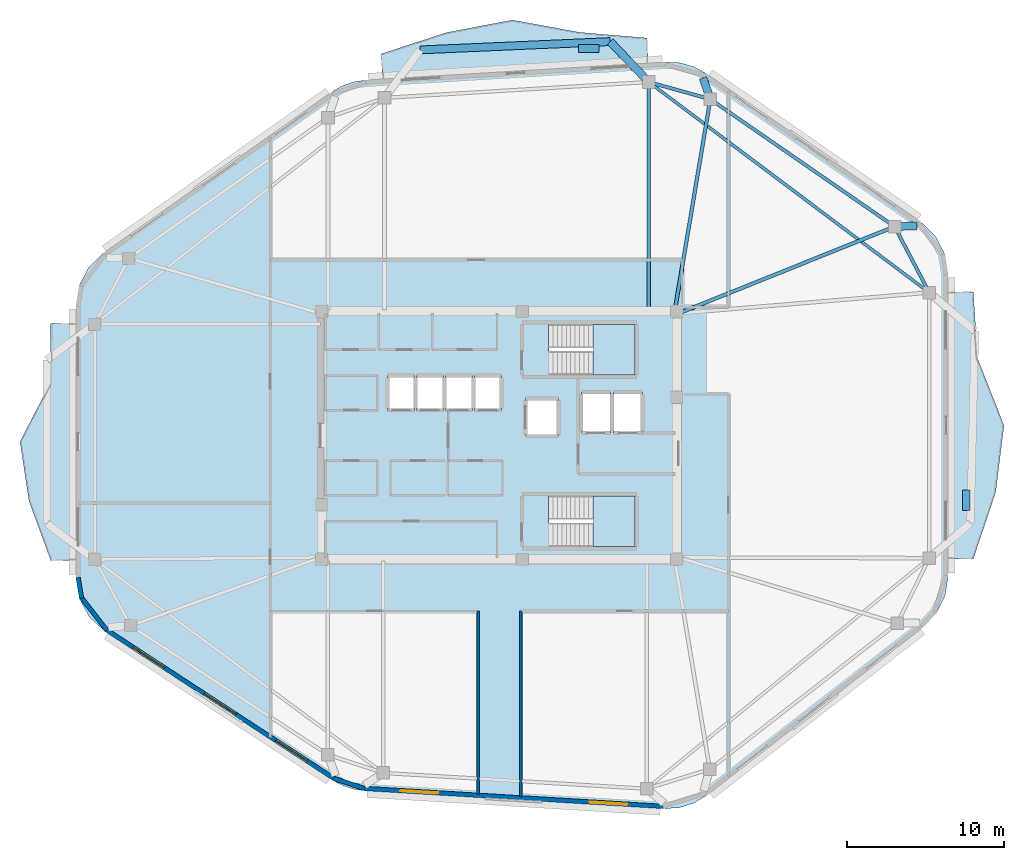
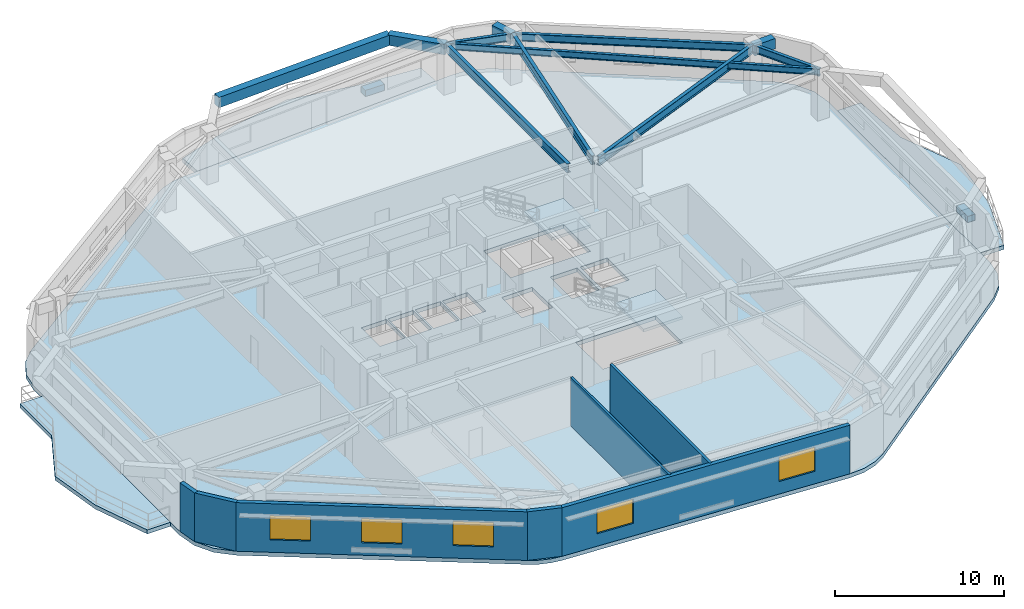
# One storey, part 2 of 9: 11 beams, 7 walls, 6 slabs, 5 windows, 2 plates, 5 openings, 2 elements without a shape of their own.
"""IFC4 building model written with IfcOpenShell, lengths in metres."""

import ifcopenshell
import ifcopenshell.guid

model = None  # the IFC model being written
_history = None  # IfcOwnerHistory: only IFC2X3 demands one
_inside = {}  # id of a spatial element -> (the spatial element, [elements in it])
_under = {}  # id of a project, library or spatial element -> (it, [spatial elements below it])
_declared = {}  # id of a project -> (the project, [libraries it declares])
_typed = {}  # id of a type object -> (the type object, [elements of that type])
_made_of = {}  # id of a material, layer set ... -> (it, [elements and type objects made of it])


def new_model(schema):
    """Start an empty IFC model of exactly this schema.

    Asked for "IFC4X3", IfcOpenShell would pick the latest addendum, in which some entities
    have other attributes; the version numbers below select the first issue.
    IFC2X3 requires an IfcOwnerHistory on every rooted entity: one is made here for all.
    """
    global model, _history
    if schema == "IFC4X3":
        model = ifcopenshell.file(schema_version=(4, 3, 0, 0))
    else:
        model = ifcopenshell.file(schema=schema)
    _inside.clear()
    _under.clear()
    _declared.clear()
    _typed.clear()
    _made_of.clear()
    _history = None
    if model.schema == "IFC2X3":
        org = make("IfcOrganization", Name="unknown")
        user = make(
            "IfcPersonAndOrganization",
            ThePerson=make("IfcPerson", FamilyName="unknown"),
            TheOrganization=org,
        )
        app = make(
            "IfcApplication",
            ApplicationDeveloper=org,
            Version="unknown",
            ApplicationFullName="unknown",
            ApplicationIdentifier="unknown",
        )
        _history = make(
            "IfcOwnerHistory",
            OwningUser=user,
            OwningApplication=app,
            ChangeAction="ADDED",
            CreationDate=0,
        )
    return model


def make(cls, **values):
    """One entity of the class cls with the attributes given. An attribute that is None is left unset."""
    return model.create_entity(
        cls, **{name: value for name, value in values.items() if value is not None}
    )


def rooted(cls, **values):
    """An entity with a GlobalId (a new one), such as an element, a storey or a relation."""
    return make(cls, GlobalId=ifcopenshell.guid.new(), OwnerHistory=_history, **values)


def si_unit(unit_type, name, prefix=None):
    """IfcSIUnit, for example si_unit("LENGTHUNIT", "METRE", prefix="MILLI")."""
    return make("IfcSIUnit", UnitType=unit_type, Prefix=prefix, Name=name)


def assignment(units):
    """IfcUnitAssignment: the units of a project."""
    return None if units is None else make("IfcUnitAssignment", Units=units)


def point(xyz):
    """IfcCartesianPoint."""
    return None if xyz is None else make("IfcCartesianPoint", Coordinates=xyz)


def direction(xyz):
    """IfcDirection."""
    return None if xyz is None else make("IfcDirection", DirectionRatios=xyz)


def frame(location, z_axis=None, x_axis=None):
    """IfcAxis2Placement3D, a coordinate frame: its origin and axes. An axis left out is left unset."""
    return make(
        "IfcAxis2Placement3D",
        Location=point(location),
        Axis=direction(z_axis),
        RefDirection=direction(x_axis),
    )


def frame_2d(location, x_axis=None):
    """IfcAxis2Placement2D, a coordinate frame in the plane: its origin and x axis."""
    return make(
        "IfcAxis2Placement2D", Location=point(location), RefDirection=direction(x_axis)
    )


def origin():
    """The frame at (0, 0, 0) with its axes left unset."""
    return frame((0.0, 0.0, 0.0))


def origin_2d():
    """The frame at (0, 0) in the plane with its x axis left unset."""
    return frame_2d((0.0, 0.0))


def place(relative_to, where):
    """IfcLocalPlacement: puts the frame where relative to a parent placement (None: the world)."""
    return make(
        "IfcLocalPlacement", PlacementRelTo=relative_to, RelativePlacement=where
    )


def context(
    kind, dimensions, precision=None, world=None, true_north=None, identifier=None
):
    """IfcGeometricRepresentationContext, for example the 3D "Model" context."""
    return make(
        "IfcGeometricRepresentationContext",
        ContextIdentifier=identifier,
        ContextType=kind,
        CoordinateSpaceDimension=dimensions,
        Precision=precision,
        WorldCoordinateSystem=world,
        TrueNorth=true_north,
    )


def subcontext(parent, identifier, kind, view, scale=None):
    """IfcGeometricRepresentationSubContext, for example "Body" below "Model"."""
    return make(
        "IfcGeometricRepresentationSubContext",
        ContextIdentifier=identifier,
        ContextType=kind,
        ParentContext=parent,
        TargetScale=scale,
        TargetView=view,
    )


def project(units=None, contexts=None):
    """IfcProject with its units and contexts."""
    return rooted(
        "IfcProject",
        Name="project",
        RepresentationContexts=contexts,
        UnitsInContext=assignment(units),
    )


def spatial(cls, under=None, at=None, **own):
    """A site, building, storey or space (cls), placed at a placement, below another one or the project."""
    s = rooted(cls, ObjectPlacement=at, **own)
    if under is not None:
        _under.setdefault(under.id(), (under, []))[1].append(s)
    return s


def polyline(points):
    """IfcPolyline through the points."""
    return make("IfcPolyline", Points=[point(p) for p in points])


def profile(cls, at=None, kind="AREA", **sizes):
    """A parametric profile (cls). Its sizes go by their IFC names, for example OverallWidth=200.0."""
    return make(cls, ProfileType=kind, Position=at, **sizes)


def rectangle(**sizes):
    """IfcRectangleProfileDef."""
    return profile("IfcRectangleProfileDef", **sizes)


def i_section(**sizes):
    """IfcIShapeProfileDef."""
    return profile("IfcIShapeProfileDef", **sizes)


def outline(outer, holes=None, kind="AREA"):
    """IfcArbitraryClosedProfileDef: a profile drawn as a closed curve; with holes, ...WithVoids."""
    if holes is None:
        return make("IfcArbitraryClosedProfileDef", ProfileType=kind, OuterCurve=outer)
    return make(
        "IfcArbitraryProfileDefWithVoids",
        ProfileType=kind,
        OuterCurve=outer,
        InnerCurves=holes,
    )


def extrude(swept, where, along, depth):
    """IfcExtrudedAreaSolid: the profile swept, set in the frame where, extruded along a direction by depth."""
    return make(
        "IfcExtrudedAreaSolid",
        SweptArea=swept,
        Position=where,
        ExtrudedDirection=direction(along),
        Depth=depth,
    )


def shape(context_of_items, identifier, shape_type, items):
    """IfcShapeRepresentation: the items that make up one representation, for example the "Body"."""
    return make(
        "IfcShapeRepresentation",
        ContextOfItems=context_of_items,
        RepresentationIdentifier=identifier,
        RepresentationType=shape_type,
        Items=items,
    )


def material(Name=None, Category=None):
    """IfcMaterial."""
    return make("IfcMaterial", Name=Name, Category=Category)


def layer(
    of_material, thickness, ventilated=None, Name=None, Category=None, Priority=None
):
    """IfcMaterialLayer: one layer of a wall or slab, of a material (None: an air gap)."""
    return make(
        "IfcMaterialLayer",
        Material=of_material,
        LayerThickness=thickness,
        IsVentilated=ventilated,
        Name=Name,
        Category=Category,
        Priority=Priority,
    )


def layer_set(layers, Name=None):
    """IfcMaterialLayerSet."""
    return make("IfcMaterialLayerSet", MaterialLayers=layers, LayerSetName=Name)


def material_profile(
    of_material, cross_section, Name=None, Category=None, Priority=None
):
    """IfcMaterialProfile: a cross section and its material."""
    return make(
        "IfcMaterialProfile",
        Name=Name,
        Material=of_material,
        Profile=cross_section,
        Priority=Priority,
        Category=Category,
    )


def profile_set(profiles, Name=None, composite=None):
    """IfcMaterialProfileSet."""
    return make(
        "IfcMaterialProfileSet",
        Name=Name,
        MaterialProfiles=profiles,
        CompositeProfile=composite,
    )


def made_of(thing, what):
    """Note that an element or type object is made of a material, layer set ...; save() writes the relation."""
    if what is not None:
        _made_of.setdefault(what.id(), (what, []))[1].append(thing)
    return thing


def type_object(cls, material=None, **own):
    """A type object (cls), such as IfcWallType, which elements share."""
    return made_of(rooted(cls, **own), material)


def element(
    cls,
    number,
    at=None,
    inside=None,
    cuts=None,
    type_object=None,
    material=None,
    context=None,
    identifier="Body",
    shape_type=None,
    held_by="IfcProductDefinitionShape",
    body=None,
    shapes=None,
    **own,
):
    """One element of the class cls, such as IfcWall. Its Tag is "e" and its number.

    at: its placement. inside: the storey or other place that contains it. cuts: it is an
    opening in that element (IfcRelVoidsElement). A single representation is given by context,
    identifier, shape_type and body (its items); several are given by shapes. held_by: the class
    of the entity that holds the representations. save() writes the other relations.
    """
    e = rooted(cls, Tag="e%d" % number, ObjectPlacement=at, **own)
    if body is not None:
        shapes = [shape(context, identifier, shape_type, body)]
    if shapes is not None:
        e.Representation = make(held_by, Representations=shapes)
    if inside is not None:
        _inside.setdefault(inside.id(), (inside, []))[1].append(e)
    if cuts is not None:
        rooted(
            "IfcRelVoidsElement", RelatingBuildingElement=cuts, RelatedOpeningElement=e
        )
    if type_object is not None:
        _typed.setdefault(type_object.id(), (type_object, []))[1].append(e)
    return made_of(e, material)


def fill(opening, filler):
    """IfcRelFillsElement: the door or window that sits in an opening."""
    return rooted(
        "IfcRelFillsElement",
        RelatingOpeningElement=opening,
        RelatedBuildingElement=filler,
    )


def aggregate(whole, parts):
    """IfcRelAggregates: a whole, such as a stair, and the parts it consists of."""
    return rooted("IfcRelAggregates", RelatingObject=whole, RelatedObjects=parts)


def save(model, path):
    """Write the relations noted so far, then the file.

    IfcRelAggregates (storeys below a building ...), IfcRelContainedInSpatialStructure (elements
    in a storey), IfcRelDefinesByType, IfcRelAssociatesMaterial and IfcRelDeclares: one each for
    every whole, place, type object, material and project.
    """
    for whole, parts in _under.values():
        aggregate(whole, parts)
    for where, things in _inside.values():
        rooted(
            "IfcRelContainedInSpatialStructure",
            RelatedElements=things,
            RelatingStructure=where,
        )
    for kind, things in _typed.values():
        rooted("IfcRelDefinesByType", RelatedObjects=things, RelatingType=kind)
    for what, things in _made_of.values():
        rooted("IfcRelAssociatesMaterial", RelatedObjects=things, RelatingMaterial=what)
    for by, libraries in _declared.values():
        rooted("IfcRelDeclares", RelatingContext=by, RelatedDefinitions=libraries)
    model.write(path)


model = new_model("IFC4")

# Units and contexts
model_context = context("Model", 3, precision=1e-05, world=origin(), true_north=direction((0.0, 1.0)))
body_context = subcontext(model_context, "Body", "Model", "MODEL_VIEW")
ifc_project = project(units=[si_unit("LENGTHUNIT", "METRE"), si_unit("AREAUNIT", "SQUARE_METRE"), si_unit("VOLUMEUNIT", "CUBIC_METRE"), si_unit("PLANEANGLEUNIT", "RADIAN"), si_unit("MASSUNIT", "GRAM", prefix="KILO")], contexts=[model_context])

# Site, building, storey
site_placement = place(None, origin())
site = spatial("IfcSite", under=ifc_project, at=site_placement, CompositionType="ELEMENT")
building_placement = place(site_placement, origin())
building = spatial("IfcBuilding", under=site, at=building_placement, Name="Zulverin Broadcast Headquarters", CompositionType="ELEMENT")
storey_placement = place(building_placement, frame((0.0, 0.0, 251.60009765625)))
storey = spatial("IfcBuildingStorey", under=building, at=storey_placement, Name="L64", CompositionType="ELEMENT", Elevation=251.60009765625)

# Beams
ifc_material_1 = material(Name="Concrete C40/50", Category="concrete")
ifc_material_profile_1 = material_profile(ifc_material_1, rectangle(XDim=0.5, YDim=0.75, at=origin_2d()), Name="Concrete C40/50", Category="concrete")
ifc_profile_set_1 = profile_set([ifc_material_profile_1], Name="Concrete C40/50")
beam_type_1 = type_object("IfcBeamType", Name="BM-RC-500x750", PredefinedType="BEAM", material=ifc_profile_set_1)
for number, where, z_axis, x_axis, name in (
    (1, (62.102783203125, 38.465087890625, 3.135009765625), (0.99949018153, 0.031927684309, 0.0), (-0.031927684309, 0.99949018153, 0.0), "L65 Plate Overhang Back-Spanned Beam OVR-07"),
    (2, (50.39794921875, 46.554443359375, 3.135009765625), (-0.323542873341, 0.946213511376, 0.0), (-0.946213511376, -0.323542873341, 0.0), "L65 Plate Overhang Back-Spanned Beam OVR-08"),
):
    element("IfcBeam", number, at=place(storey_placement, frame(where, z_axis=z_axis, x_axis=x_axis)), inside=storey, type_object=beam_type_1, Name=name, PredefinedType="BEAM", context=body_context, shape_type="SweptSolid", body=[
        extrude(rectangle(XDim=0.5, YDim=0.75, at=origin_2d()), origin(), (0.0, 0.0, 1.0), 1.429931640625),
    ])
beam_1_placement = place(storey_placement, frame((46.4814453125, 47.6484375, 3.135009765625), z_axis=(-0.6893662746, 0.724412961952, 0.0), x_axis=(-0.724412961952, -0.6893662746, 0.0)))
element("IfcBeam", 3, at=beam_1_placement, inside=storey, type_object=beam_type_1, Name="L65 Balcony Column-Framed Cantilever BAL_N-1", PredefinedType="BEAM", context=body_context, shape_type="SweptSolid", body=[
    extrude(rectangle(XDim=0.5, YDim=0.75, at=origin_2d()), origin(), (0.0, 0.0, 1.0), 3.545654296875),
])
beam_2_placement = place(storey_placement, frame((44.037109375, 50.217041015625, 3.135009765625), z_axis=(-0.999038184305, -0.043848675012, 0.0), x_axis=(0.043848675012, -0.999038184305, 0.0)))
element("IfcBeam", 4, at=beam_2_placement, inside=storey, type_object=beam_type_1, Name="L65 Balcony Outer Edge Trimmer Beam BAL_N", PredefinedType="BEAM", context=body_context, shape_type="SweptSolid", body=[
    extrude(rectangle(XDim=0.5, YDim=0.75, at=origin_2d()), origin(), (0.0, 0.0, 1.0), 12.07666015625),
])
ifc_material_2 = material(Name="Structural steel S355JR", Category="steel")
ifc_material_profile_2 = material_profile(ifc_material_2, i_section(OverallWidth=0.19287109375, OverallDepth=0.46728515625, WebThickness=0.011474609375, FlangeThickness=0.01953125, at=origin_2d()), Name="Structural steel S355JR", Category="steel")
ifc_profile_set_2 = profile_set([ifc_material_profile_2], Name="Structural steel S355JR")
beam_type_2 = type_object("IfcBeamType", Name="BM-UB-457", PredefinedType="JOIST", material=ifc_profile_set_2)
beam_3_placement = place(storey_placement, frame((64.300048828125, 34.275634765625, 3.2763671875), z_axis=(-0.799809280949, 0.600254207905, 0.0), x_axis=(-0.600254207905, -0.799809280949, 0.0)))
element("IfcBeam", 5, at=beam_3_placement, inside=storey, type_object=beam_type_2, Name="L64 Chordal Floor Joist J-02", PredefinedType="JOIST", context=body_context, shape_type="SweptSolid", body=[
    extrude(i_section(OverallWidth=0.19287109375, OverallDepth=0.46728515625, WebThickness=0.011474609375, FlangeThickness=0.01953125, at=origin_2d()), origin(), (0.0, 0.0, 1.0), 22.278564453125),
])
ifc_material_profile_3 = material_profile(ifc_material_2, i_section(OverallWidth=0.2119140625, OverallDepth=0.54443359375, WebThickness=0.0126953125, FlangeThickness=0.021240234375, at=origin_2d()), Name="Structural steel S355JR", Category="steel")
ifc_profile_set_3 = profile_set([ifc_material_profile_3], Name="Structural steel S355JR")
beam_type_3 = type_object("IfcBeamType", Name="BM-UB-533", PredefinedType="SPANDREL", material=ifc_profile_set_3)
beam_4_placement = place(storey_placement, frame((64.300048828125, 34.275634765625, 3.237548828125), z_axis=(-0.464469748171, 0.885588986513, 0.0), x_axis=(-0.885588986513, -0.464469748171, 0.0)))
element("IfcBeam", 6, at=beam_4_placement, inside=storey, type_object=beam_type_3, Name="L64 Perimeter Spandrel Beam SP-06", PredefinedType="SPANDREL", context=body_context, shape_type="SweptSolid", body=[
    extrude(i_section(OverallWidth=0.2119140625, OverallDepth=0.54443359375, WebThickness=0.0126953125, FlangeThickness=0.021240234375, at=origin_2d()), origin(), (0.0, 0.0, 1.0), 4.730712890625),
])
beam_5_placement = place(storey_placement, frame((62.102783203125, 38.465087890625, 3.237548828125), z_axis=(-0.822652126292, 0.568545054597, 0.0), x_axis=(-0.568545054597, -0.822652126292, 0.0)))
element("IfcBeam", 7, at=beam_5_placement, inside=storey, type_object=beam_type_3, Name="L64 Perimeter Spandrel Beam SP-07", PredefinedType="SPANDREL", context=body_context, shape_type="SweptSolid", body=[
    extrude(i_section(OverallWidth=0.2119140625, OverallDepth=0.54443359375, WebThickness=0.0126953125, FlangeThickness=0.021240234375, at=origin_2d()), origin(), (0.0, 0.0, 1.0), 14.228271484375),
])
beam_6_placement = place(storey_placement, frame((50.39794921875, 46.554443359375, 3.237548828125), z_axis=(-0.963131566005, 0.26903082828, 0.0), x_axis=(-0.26903082828, -0.963131566005, 0.0)))
element("IfcBeam", 8, at=beam_6_placement, inside=storey, type_object=beam_type_3, Name="L64 Perimeter Spandrel Beam SP-08", PredefinedType="SPANDREL", context=body_context, shape_type="SweptSolid", body=[
    extrude(i_section(OverallWidth=0.2119140625, OverallDepth=0.54443359375, WebThickness=0.0126953125, FlangeThickness=0.021240234375, at=origin_2d()), origin(), (0.0, 0.0, 1.0), 4.06640625),
])
ifc_material_profile_4 = material_profile(ifc_material_2, i_section(OverallWidth=0.230224609375, OverallDepth=0.6171875, WebThickness=0.01318359375, FlangeThickness=0.022216796875, at=origin_2d()), Name="Structural steel S355JR", Category="steel")
ifc_profile_set_4 = profile_set([ifc_material_profile_4], Name="Structural steel S355JR")
beam_type_4 = type_object("IfcBeamType", Name="BM-UB-610", PredefinedType="BEAM", material=ifc_profile_set_4)
beam_7_placement = place(storey_placement, frame((48.375, 32.949951171875, 3.201416015625), z_axis=(0.927915690744, 0.37279011638, 0.0), x_axis=(-0.37279011638, 0.927915690744, 0.0)))
element("IfcBeam", 9, at=beam_7_placement, inside=storey, type_object=beam_type_4, Name="L64 Radial Primary Floor Beam RB-07", PredefinedType="BEAM", context=body_context, shape_type="SweptSolid", body=[
    extrude(i_section(OverallWidth=0.230224609375, OverallDepth=0.6171875, WebThickness=0.01318359375, FlangeThickness=0.022216796875, at=origin_2d()), origin(), (0.0, 0.0, 1.0), 14.794189453125),
])
beam_8_placement = place(storey_placement, frame((48.14990234375, 33.175048828125, 3.201416015625), z_axis=(0.165700339104, 0.986176149388, 0.0), x_axis=(-0.986176149388, 0.165700339104, 0.0)))
element("IfcBeam", 10, at=beam_8_placement, inside=storey, type_object=beam_type_4, Name="L64 Radial Primary Floor Beam RB-08", PredefinedType="BEAM", context=body_context, shape_type="SweptSolid", body=[
    extrude(i_section(OverallWidth=0.230224609375, OverallDepth=0.6171875, WebThickness=0.01318359375, FlangeThickness=0.022216796875, at=origin_2d()), origin(), (0.0, 0.0, 1.0), 13.56689453125),
])
beam_9_placement = place(storey_placement, frame((46.4814453125, 33.175048828125, 3.201416015625), z_axis=(0.0, 1.0, 0.0), x_axis=(-1.0, 0.0, 0.0)))
element("IfcBeam", 11, at=beam_9_placement, inside=storey, type_object=beam_type_4, Name="L64 Radial Primary Floor Beam RB-09", PredefinedType="BEAM", context=body_context, shape_type="SweptSolid", body=[
    extrude(i_section(OverallWidth=0.230224609375, OverallDepth=0.6171875, WebThickness=0.01318359375, FlangeThickness=0.022216796875, at=origin_2d()), origin(), (0.0, 0.0, 1.0), 14.473388671875),
])

# Plates
ifc_material_3 = material(Name="Precast concrete C45/55", Category="concrete")
ifc_layer_1 = layer(ifc_material_3, 0.449951171875, Name="Precast concrete C45/55", Category="concrete")
ifc_layer_set_1 = layer_set([ifc_layer_1], Name="Precast concrete C45/55")
plate_type = type_object("IfcPlateType", Name="PT-01_PRECAST_GFRC_TREE_PLANTER", PredefinedType="USERDEFINED", material=ifc_layer_set_1)
for number, where, z_axis, x_axis, name in (
    (12, (66.64990234375, 21.0908203125, -0.0048828125), (0.0, 0.0, 1.0), (0.0, 1.0, 0.0), "L64 Precast GFRC Tree Planter BAL_E"),
    (13, (42.6767578125, 49.7744140625, -0.0048828125), (0.0, 0.0, 1.0), (1.0, 0.0, 0.0), "L64 Precast GFRC Tree Planter BAL_N"),
):
    element("IfcPlate", number, at=place(storey_placement, frame(where, z_axis=z_axis, x_axis=x_axis)), inside=storey, type_object=plate_type, Name=name, ObjectType="PLANTER", PredefinedType="USERDEFINED", context=body_context, shape_type="SweptSolid", body=[
        extrude(rectangle(XDim=1.300048828125, YDim=0.5, at=origin_2d()), origin(), (0.0, 0.0, 1.0), 0.449951171875),
    ])

# Slabs
ifc_layer_2 = layer(ifc_material_1, 0.2900390625, Name="Concrete C40/50", Category="concrete")
ifc_layer_set_2 = layer_set([ifc_layer_2], Name="Concrete C40/50")
slab_type_1 = type_object("IfcSlabType", Name="SLB-BAL-290", PredefinedType="FLOOR", material=ifc_layer_set_2)
slab_1_placement = place(storey_placement, frame((0.0, 0.0, -0.2900390625)))
element("IfcSlab", 14, at=slab_1_placement, inside=storey, type_object=slab_type_1, Name="L64 Cantilevered Planted Balcony Slab BAL_E", PredefinedType="FLOOR", context=body_context, shape_type="SweptSolid", body=[
    extrude(outline(polyline([(65.5, 34.32568359375), (65.5, 17.357666015625), (67.10009765625, 17.357666015625), (68.52392578125, 21.599609375), (69.050048828125, 25.841796875), (67.37744140625, 30.083740234375), (67.10009765625, 34.32568359375), (65.5, 34.32568359375)])), origin(), (0.0, 0.0, 1.0), 0.2900390625),
])
slab_2_placement = place(storey_placement, frame((0.0, 0.0, -0.2900390625)))
element("IfcSlab", 15, at=slab_2_placement, inside=storey, type_object=slab_type_1, Name="L64 Cantilevered Planted Balcony Slab BAL_N", PredefinedType="FLOOR", context=body_context, shape_type="SweptSolid", body=[
    extrude(outline(polyline([(29.5791015625, 47.835693359375), (46.45947265625, 48.849365234375), (46.363525390625, 50.4462890625), (42.106689453125, 50.804443359375), (37.824462890625, 51.58740234375), (33.636962890625, 50.789794921875), (29.483154296875, 49.43310546875), (29.5791015625, 47.835693359375)])), origin(), (0.0, 0.0, 1.0), 0.2900390625),
])
slab_3_placement = place(storey_placement, frame((0.0, 0.0, -0.2900390625)))
element("IfcSlab", 16, at=slab_3_placement, inside=storey, type_object=slab_type_1, Name="L64 Cantilevered Planted Balcony Slab BAL_W", PredefinedType="FLOOR", context=body_context, shape_type="SweptSolid", body=[
    extrude(outline(polyline([(10.10009765625, 17.2685546875), (10.10009765625, 32.3251953125), (8.5, 32.3251953125), (8.48193359375, 28.56103515625), (6.550048828125, 24.797119140625), (7.119384765625, 21.03271484375), (8.5, 17.2685546875), (10.10009765625, 17.2685546875)])), origin(), (0.0, 0.0, 1.0), 0.2900390625),
])

# Stair, slab
stair_type = type_object("IfcStairType", Name="ST-CORE-1500", PredefinedType="HALF_TURN_STAIR", material=ifc_material_1)
stair_1_placement = place(storey_placement, origin())
stair_1 = element("IfcStair", 17, at=stair_1_placement, inside=storey, type_object=stair_type, Name="L64 Core Exit Stair ST-1", PredefinedType="HALF_TURN_STAIR")
ifc_layer_3 = layer(ifc_material_1, 0.199951171875, Name="Concrete C40/50", Category="concrete")
ifc_layer_set_3 = layer_set([ifc_layer_3], Name="Concrete C40/50")
slab_type_2 = type_object("IfcSlabType", Name="SLB-ST-LND200", PredefinedType="LANDING", material=ifc_layer_set_3)
slab_4_placement = place(storey_placement, frame((0.0, 0.0, 1.699951171875)))
slab_4 = element("IfcSlab", 18, at=slab_4_placement, type_object=slab_type_2, Name="ST-1 landing 1", PredefinedType="LANDING", context=body_context, shape_type="SweptSolid", body=[
    extrude(outline(polyline([(42.929931640625, 29.050048828125), (45.60009765625, 29.050048828125), (45.60009765625, 32.25), (42.929931640625, 32.25), (42.929931640625, 29.050048828125)])), origin(), (0.0, 0.0, 1.0), 0.199951171875),
])
aggregate(stair_1, [slab_4])

stair_2_placement = place(storey_placement, origin())
stair_2 = element("IfcStair", 19, at=stair_2_placement, inside=storey, type_object=stair_type, Name="L64 Core Exit Stair ST-2", PredefinedType="HALF_TURN_STAIR")
slab_5_placement = place(storey_placement, frame((0.0, 0.0, 1.699951171875)))
slab_5 = element("IfcSlab", 20, at=slab_5_placement, type_object=slab_type_2, Name="ST-2 landing 1", PredefinedType="LANDING", context=body_context, shape_type="SweptSolid", body=[
    extrude(outline(polyline([(42.929931640625, 18.14990234375), (45.60009765625, 18.14990234375), (45.60009765625, 21.35009765625), (42.929931640625, 21.35009765625), (42.929931640625, 18.14990234375)])), origin(), (0.0, 0.0, 1.0), 0.199951171875),
])
aggregate(stair_2, [slab_5])

# Slab
ifc_layer_4 = layer(ifc_material_1, 0.2900390625, Name="Concrete C40/50", Category="concrete")
ifc_layer_set_4 = layer_set([ifc_layer_4], Name="Concrete C40/50")
slab_type_3 = type_object("IfcSlabType", Name="SLB-TWR-290", PredefinedType="FLOOR", material=ifc_layer_set_4)
slab_6_placement = place(storey_placement, frame((0.0, 0.0, -0.2900390625)))
element("IfcSlab", 21, at=slab_6_placement, inside=storey, type_object=slab_type_3, Name="L64 Main Structural Floor Slab", PredefinedType="FLOOR", context=body_context, shape_type="SweptSolid", body=[
    extrude(outline(polyline([(26.405029296875, 3.295166015625), (27.029296875, 2.96044921875), (27.70166015625, 2.738037109375), (28.402099609375, 2.634765625), (47.427490234375, 1.49267578125), (48.40869140625, 1.5517578125), (49.347412109375, 1.842529296875), (50.18994140625, 2.348388671875), (63.91650390625, 13.02099609375), (64.7685546875, 13.92041015625), (65.312744140625, 15.033203125), (65.5, 16.2578125), (65.5, 35.42578125), (65.289306640625, 36.723388671875), (64.6787109375, 37.887451171875), (63.73095703125, 38.798583984375), (50.13427734375, 48.1953125), (49.3359375, 48.625244140625), (48.462890625, 48.869140625), (47.557373046875, 48.915283203125), (28.48095703125, 47.77001953125), (27.73291015625, 47.655029296875), (27.0185546875, 47.404541015625), (26.362548828125, 47.027099609375), (11.8359375, 36.775146484375), (10.9052734375, 35.865478515625), (10.306396484375, 34.710205078125), (10.10009765625, 33.42529296875), (10.10009765625, 16.168701171875), (10.322021484375, 14.83740234375), (10.96435546875, 13.650390625), (11.957275390625, 12.736328125), (26.405029296875, 3.295166015625)]), holes=[polyline([(40.155029296875, 30.75), (40.130126953125, 30.75), (40.130126953125, 32.25), (45.60009765625, 32.25), (45.60009765625, 29.050048828125), (40.155029296875, 29.050048828125), (40.155029296875, 30.75)]), polyline([(40.155029296875, 19.85009765625), (40.130126953125, 19.85009765625), (40.130126953125, 21.35009765625), (45.60009765625, 21.35009765625), (45.60009765625, 18.14990234375), (40.155029296875, 18.14990234375), (40.155029296875, 19.85009765625)]), polyline([(29.89990234375, 26.800048828125), (31.6201171875, 26.800048828125), (31.6201171875, 29.0), (29.89990234375, 29.0), (29.89990234375, 26.800048828125)]), polyline([(31.739990234375, 26.800048828125), (33.4599609375, 26.800048828125), (33.4599609375, 29.0), (31.739990234375, 29.0), (31.739990234375, 26.800048828125)]), polyline([(33.580078125, 26.800048828125), (35.300048828125, 26.800048828125), (35.300048828125, 29.0), (33.580078125, 29.0), (33.580078125, 26.800048828125)]), polyline([(35.419921875, 26.800048828125), (37.139892578125, 26.800048828125), (37.139892578125, 29.0), (35.419921875, 29.0), (35.419921875, 26.800048828125)]), polyline([(42.199951171875, 25.35009765625), (44.050048828125, 25.35009765625), (44.050048828125, 27.949951171875), (42.199951171875, 27.949951171875), (42.199951171875, 25.35009765625)]), polyline([(44.25, 25.35009765625), (46.10009765625, 25.35009765625), (46.10009765625, 27.949951171875), (44.25, 27.949951171875), (44.25, 25.35009765625)]), polyline([(38.64990234375, 25.14990234375), (40.75, 25.14990234375), (40.75, 27.550048828125), (38.64990234375, 27.550048828125), (38.64990234375, 25.14990234375)])]), origin(), (0.0, 0.0, 1.0), 0.2900390625),
])

# Wall, openings, windows
ifc_material_4 = material(Name="Insulated pale-metal clad concrete spandrel C40/50", Category="concrete")
ifc_layer_5 = layer(ifc_material_4, 0.280029296875, Name="Insulated pale-metal clad concrete spandrel C40/50", Category="concrete")
ifc_layer_set_5 = layer_set([ifc_layer_5], Name="Insulated pale-metal clad concrete spandrel C40/50")
wall_type_1 = type_object("IfcWallType", Name="WL-EXT-280", PredefinedType="STANDARD", material=ifc_layer_set_5)
wall_1_placement = place(storey_placement, frame((28.41064453125, 2.7744140625, 0.0), z_axis=(0.0, 0.0, 1.0), x_axis=(0.998203068368, -0.059921901676, 0.0)))
wall_1 = element("IfcWall", 22, at=wall_1_placement, inside=storey, type_object=wall_type_1, Name="L64 Pale-Metal Clad Spandrel Wall 1", PredefinedType="STANDARD", context=body_context, shape_type="SweptSolid", body=[
    extrude(rectangle(XDim=19.0595703125, YDim=0.280029296875, at=frame_2d((9.52978515625, 0.0))), origin(), (0.0, 0.0, 1.0), 3.510009765625),
])
opening_1_placement = place(wall_1_placement, frame((2.309814453125, 0.0, 0.89990234375)))
opening_1 = element("IfcOpeningElement", 23, at=opening_1_placement, cuts=wall_1, Name="Opening W-L64-E11", PredefinedType="OPENING", context=body_context, shape_type="SweptSolid", body=[
    extrude(rectangle(XDim=2.39990234375, YDim=1.75, at=frame_2d((1.199951171875, 0.875))), frame((0.0, 0.14990234375, 0.0), z_axis=(0.0, -1.0, 0.0), x_axis=(1.0, 0.0, 0.0)), (0.0, 0.0, 1.0), 0.300048828125),
])
opening_2_placement = place(wall_1_placement, frame((14.349609375, 0.0, 0.89990234375)))
opening_2 = element("IfcOpeningElement", 24, at=opening_2_placement, cuts=wall_1, Name="Opening W-L64-E12", PredefinedType="OPENING", context=body_context, shape_type="SweptSolid", body=[
    extrude(rectangle(XDim=2.39990234375, YDim=1.75, at=frame_2d((1.199951171875, 0.875))), frame((0.0, 0.14990234375, 0.0), z_axis=(0.0, -1.0, 0.0), x_axis=(1.0, 0.0, 0.0)), (0.0, 0.0, 1.0), 0.300048828125),
])
ifc_material_5 = material(Name="Pale anodized aluminium frame with solar-control low-E double glazing", Category="aluminium")
window_type = type_object("IfcWindowType", Name="WIN-RIB-2400", PartitioningType="SINGLE_PANEL", PredefinedType="WINDOW", material=ifc_material_5)
window_1_placement = place(opening_1_placement, origin())
window_1 = element("IfcWindow", 25, at=window_1_placement, inside=storey, type_object=window_type, Name="L64 Ribbon Glazing Window 1 1", OverallHeight=1.75, OverallWidth=2.39990234375, PartitioningType="SINGLE_PANEL", PredefinedType="WINDOW", context=body_context, shape_type="SweptSolid", body=[
    extrude(rectangle(XDim=2.39990234375, YDim=1.75, at=frame_2d((1.199951171875, 0.875))), frame((0.0, 0.030029296875, 0.0), z_axis=(0.0, -1.0, 0.0), x_axis=(1.0, 0.0, 0.0)), (0.0, 0.0, 1.0), 0.06005859375),
])
fill(opening_1, window_1)
window_2_placement = place(opening_2_placement, origin())
window_2 = element("IfcWindow", 26, at=window_2_placement, inside=storey, type_object=window_type, Name="L64 Ribbon Glazing Window 1 2", OverallHeight=1.75, OverallWidth=2.39990234375, PartitioningType="SINGLE_PANEL", PredefinedType="WINDOW", context=body_context, shape_type="SweptSolid", body=[
    extrude(rectangle(XDim=2.39990234375, YDim=1.75, at=frame_2d((1.199951171875, 0.875))), frame((0.0, 0.030029296875, 0.0), z_axis=(0.0, -1.0, 0.0), x_axis=(1.0, 0.0, 0.0)), (0.0, 0.0, 1.0), 0.06005859375),
])
fill(opening_2, window_2)

wall_2_placement = place(storey_placement, frame((12.03369140625, 12.853515625, 0.0), z_axis=(0.0, 0.0, 1.0), x_axis=(0.837118352984, -0.547021812269, 0.0)))
wall_2 = element("IfcWall", 27, at=wall_2_placement, inside=storey, type_object=wall_type_1, Name="L64 Pale-Metal Clad Spandrel Wall 8", PredefinedType="STANDARD", context=body_context, shape_type="SweptSolid", body=[
    extrude(rectangle(XDim=17.25927734375, YDim=0.280029296875, at=frame_2d((8.629638671875, 0.0))), origin(), (0.0, 0.0, 1.0), 3.510009765625),
])
opening_3_placement = place(wall_2_placement, frame((2.010009765625, 0.0, 0.89990234375)))
opening_3 = element("IfcOpeningElement", 28, at=opening_3_placement, cuts=wall_2, Name="Opening W-L64-E81", PredefinedType="OPENING", context=body_context, shape_type="SweptSolid", body=[
    extrude(rectangle(XDim=2.39990234375, YDim=1.75, at=frame_2d((1.199951171875, 0.875))), frame((0.0, 0.14990234375, 0.0), z_axis=(0.0, -1.0, 0.0), x_axis=(1.0, 0.0, 0.0)), (0.0, 0.0, 1.0), 0.300048828125),
])
opening_4_placement = place(wall_2_placement, frame((7.4296875, 0.0, 0.89990234375)))
opening_4 = element("IfcOpeningElement", 29, at=opening_4_placement, cuts=wall_2, Name="Opening W-L64-E82", PredefinedType="OPENING", context=body_context, shape_type="SweptSolid", body=[
    extrude(rectangle(XDim=2.39990234375, YDim=1.75, at=frame_2d((1.199951171875, 0.875))), frame((0.0, 0.14990234375, 0.0), z_axis=(0.0, -1.0, 0.0), x_axis=(1.0, 0.0, 0.0)), (0.0, 0.0, 1.0), 0.300048828125),
])
opening_5_placement = place(wall_2_placement, frame((12.849365234375, 0.0, 0.89990234375)))
opening_5 = element("IfcOpeningElement", 30, at=opening_5_placement, cuts=wall_2, Name="Opening W-L64-E83", PredefinedType="OPENING", context=body_context, shape_type="SweptSolid", body=[
    extrude(rectangle(XDim=2.39990234375, YDim=1.75, at=frame_2d((1.199951171875, 0.875))), frame((0.0, 0.14990234375, 0.0), z_axis=(0.0, -1.0, 0.0), x_axis=(1.0, 0.0, 0.0)), (0.0, 0.0, 1.0), 0.300048828125),
])
window_3_placement = place(opening_3_placement, origin())
window_3 = element("IfcWindow", 31, at=window_3_placement, inside=storey, type_object=window_type, Name="L64 Ribbon Glazing Window 8 1", OverallHeight=1.75, OverallWidth=2.39990234375, PartitioningType="SINGLE_PANEL", PredefinedType="WINDOW", context=body_context, shape_type="SweptSolid", body=[
    extrude(rectangle(XDim=2.39990234375, YDim=1.75, at=frame_2d((1.199951171875, 0.875))), frame((0.0, 0.030029296875, 0.0), z_axis=(0.0, -1.0, 0.0), x_axis=(1.0, 0.0, 0.0)), (0.0, 0.0, 1.0), 0.06005859375),
])
fill(opening_3, window_3)
window_4_placement = place(opening_4_placement, origin())
window_4 = element("IfcWindow", 32, at=window_4_placement, inside=storey, type_object=window_type, Name="L64 Ribbon Glazing Window 8 2", OverallHeight=1.75, OverallWidth=2.39990234375, PartitioningType="SINGLE_PANEL", PredefinedType="WINDOW", context=body_context, shape_type="SweptSolid", body=[
    extrude(rectangle(XDim=2.39990234375, YDim=1.75, at=frame_2d((1.199951171875, 0.875))), frame((0.0, 0.030029296875, 0.0), z_axis=(0.0, -1.0, 0.0), x_axis=(1.0, 0.0, 0.0)), (0.0, 0.0, 1.0), 0.06005859375),
])
fill(opening_4, window_4)
window_5_placement = place(opening_5_placement, origin())
window_5 = element("IfcWindow", 33, at=window_5_placement, inside=storey, type_object=window_type, Name="L64 Ribbon Glazing Window 8 3", OverallHeight=1.75, OverallWidth=2.39990234375, PartitioningType="SINGLE_PANEL", PredefinedType="WINDOW", context=body_context, shape_type="SweptSolid", body=[
    extrude(rectangle(XDim=2.39990234375, YDim=1.75, at=frame_2d((1.199951171875, 0.875))), frame((0.0, 0.030029296875, 0.0), z_axis=(0.0, -1.0, 0.0), x_axis=(1.0, 0.0, 0.0)), (0.0, 0.0, 1.0), 0.06005859375),
])
fill(opening_5, window_5)

# Walls
wall_3_placement = place(storey_placement, frame((10.238037109375, 16.191650390625, 0.0), z_axis=(0.0, 0.0, 1.0), x_axis=(0.164604311367, -0.986359681191, 0.0)))
element("IfcWall", 34, at=wall_3_placement, inside=storey, type_object=wall_type_1, Name="L64 Wind-Shaped Corner Spandrel Wall 7-1", PredefinedType="STANDARD", context=body_context, shape_type="SweptSolid", body=[
    extrude(rectangle(XDim=1.349609375, YDim=0.280029296875, at=frame_2d((0.6748046875, 0.0))), origin(), (0.0, 0.0, 1.0), 3.510009765625),
])
wall_4_placement = place(storey_placement, frame((10.4326171875, 14.92333984375, 0.0), z_axis=(0.0, 0.0, 1.0), x_axis=(0.614181852676, -0.78916452774, 0.0)))
element("IfcWall", 35, at=wall_4_placement, inside=storey, type_object=wall_type_1, Name="L64 Wind-Shaped Corner Spandrel Wall 7-2", PredefinedType="STANDARD", context=body_context, shape_type="SweptSolid", body=[
    extrude(rectangle(XDim=2.662109375, YDim=0.280029296875, at=frame_2d((1.3310546875, 0.0))), origin(), (0.0, 0.0, 1.0), 3.510009765625),
])
wall_5_placement = place(storey_placement, frame((26.44921875, 3.427978515625, 0.0), z_axis=(0.0, 0.0, 1.0), x_axis=(0.949435039229, -0.313963542923, 0.0)))
element("IfcWall", 36, at=wall_5_placement, inside=storey, type_object=wall_type_1, Name="L64 Wind-Shaped Corner Spandrel Wall 8-1", PredefinedType="STANDARD", context=body_context, shape_type="SweptSolid", body=[
    extrude(rectangle(XDim=2.103515625, YDim=0.280029296875, at=frame_2d((1.0517578125, 0.0))), origin(), (0.0, 0.0, 1.0), 3.510009765625),
])
ifc_material_6 = material(Name="Fire-rated gypsum stud partition", Category="gypsum")
ifc_layer_6 = layer(ifc_material_6, 0.14990234375, Name="Fire-rated gypsum stud partition", Category="gypsum")
ifc_layer_set_6 = layer_set([ifc_layer_6], Name="Fire-rated gypsum stud partition")
wall_type_2 = type_object("IfcWallType", Name="WL-PART-150", PredefinedType="PARTITIONING", material=ifc_layer_set_6)
wall_6_placement = place(storey_placement, frame((35.64990234375, 2.40478515625, 0.0), z_axis=(0.0, 0.0, 1.0), x_axis=(0.0, 1.0, 0.0)))
element("IfcWall", 37, at=wall_6_placement, inside=storey, type_object=wall_type_2, Name="L64 Gallery Partition Wall CG-05", PredefinedType="PARTITIONING", context=body_context, shape_type="SweptSolid", body=[
    extrude(rectangle(XDim=11.645263671875, YDim=0.14990234375, at=frame_2d((5.82275390625, 0.0))), origin(), (0.0, 0.0, 1.0), 3.510009765625),
])
ifc_material_7 = material(Name="Fire-rated acoustic stud wall", Category="gypsum")
ifc_layer_7 = layer(ifc_material_7, 0.175048828125, Name="Fire-rated acoustic stud wall", Category="gypsum")
ifc_layer_set_7 = layer_set([ifc_layer_7], Name="Fire-rated acoustic stud wall")
wall_type_3 = type_object("IfcWallType", Name="WL-PART-175", PredefinedType="PARTITIONING", material=ifc_layer_set_7)
wall_7_placement = place(storey_placement, frame((38.35009765625, 2.24267578125, 0.0), z_axis=(0.0, 0.0, 1.0), x_axis=(0.0, 1.0, 0.0)))
element("IfcWall", 38, at=wall_7_placement, inside=storey, type_object=wall_type_3, Name="L64 Gallery Partition Wall CG-04", PredefinedType="PARTITIONING", context=body_context, shape_type="SweptSolid", body=[
    extrude(rectangle(XDim=11.807373046875, YDim=0.175048828125, at=frame_2d((5.90380859375, 0.0))), origin(), (0.0, 0.0, 1.0), 3.510009765625),
])

save(model, "model.ifc")
